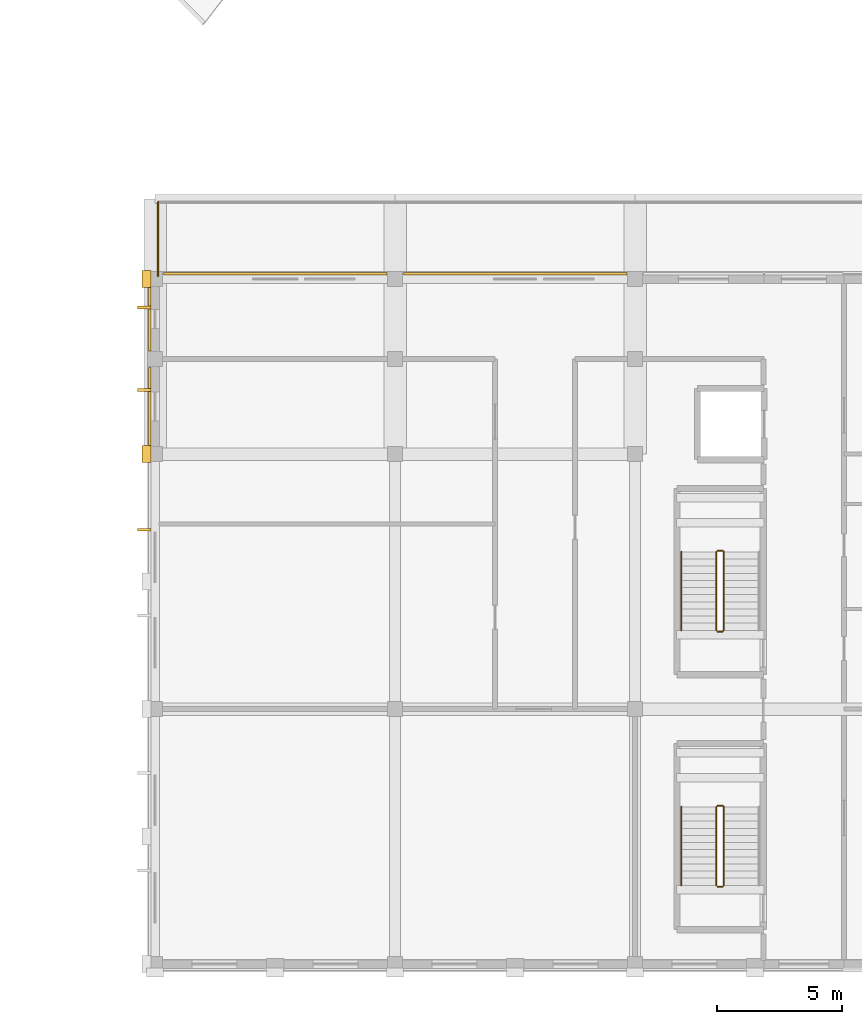
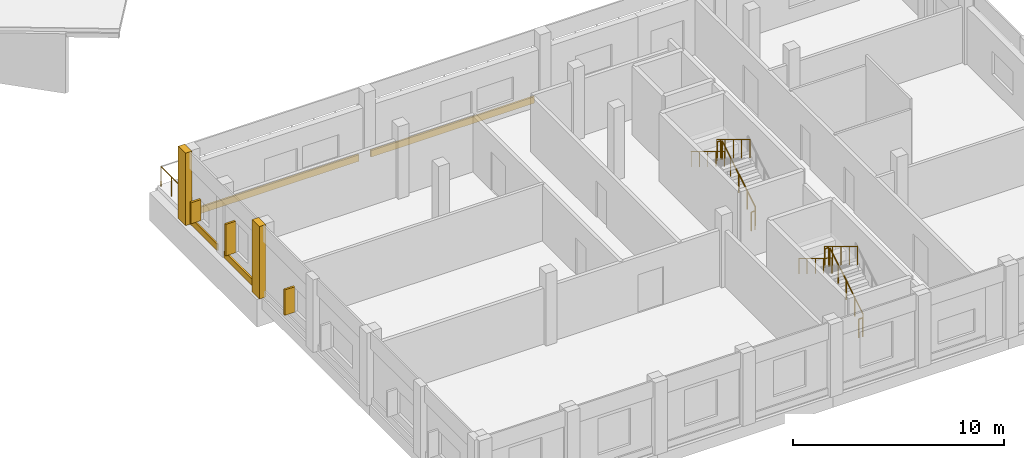
# One storey, part 198 of 200: 11 railings, 6 coverings, 3 shading devices.
"""IFC4 building model written with IfcOpenShell, lengths in metres."""

from ifc_helpers import new_model, si_unit, direction, frame, origin, origin_2d, place, context, subcontext, project, spatial, rectangle, circle, extrude, material, layer, layer_set, type_object, element, save


model = new_model("IFC4")

# Units and contexts
model_context = context("Model", 3, precision=1e-05, world=origin(), true_north=direction((0.0, 1.0)))
body_context = subcontext(model_context, "Body", "Model", "MODEL_VIEW")
ifc_project = project(units=[si_unit("LENGTHUNIT", "METRE"), si_unit("AREAUNIT", "SQUARE_METRE"), si_unit("VOLUMEUNIT", "CUBIC_METRE"), si_unit("PLANEANGLEUNIT", "RADIAN"), si_unit("MASSUNIT", "GRAM", prefix="KILO")], contexts=[model_context])

# Site, building, storey
site_placement = place(None, origin())
site = spatial("IfcSite", under=ifc_project, at=site_placement, CompositionType="ELEMENT")
building_placement = place(site_placement, origin())
building = spatial("IfcBuilding", under=site, at=building_placement, Name="Vondelvale Polytechnic", CompositionType="ELEMENT")
storey_placement = place(building_placement, frame((0.0, 0.0, 13.800048828125)))
storey = spatial("IfcBuildingStorey", under=building, at=storey_placement, Name="L03", CompositionType="ELEMENT", Elevation=13.800048828125)

# Coverings
ifc_material_1 = material(Name="Amsterdam School iron-spot clinker clay brickwork", Category="masonry")
ifc_layer_1 = layer(ifc_material_1, 0.090087890625)
ifc_layer_set_1 = layer_set([ifc_layer_1], Name="COV-BRICK-RELIEF")
covering_type = type_object("IfcCoveringType", Name="COV-BRICK-RELIEF", PredefinedType="CLADDING", material=ifc_layer_set_1)
covering_1_placement = place(storey_placement, frame((134.18896484375, 22.300048828125, 0.0), z_axis=(0.0, 0.0, 1.0), x_axis=(0.0, 1.0, 0.0)))
element("IfcCovering", 1, at=covering_1_placement, inside=storey, type_object=covering_type, Name="L03 exterior corbelled masonry relief band", PredefinedType="CLADDING", context=body_context, shape_type="SweptSolid", body=[
    extrude(rectangle(XDim=3.137939453125, YDim=0.090087890625, at=origin_2d()), origin(), (0.0, 0.0, 1.0), 0.3798828125),
])
covering_2_placement = place(storey_placement, frame((134.18896484375, 25.800048828125, 0.0), z_axis=(0.0, 0.0, 1.0), x_axis=(0.0, 1.0, 0.0)))
element("IfcCovering", 2, at=covering_2_placement, inside=storey, type_object=covering_type, Name="L03 exterior corbelled masonry relief band", PredefinedType="CLADDING", context=body_context, shape_type="SweptSolid", body=[
    extrude(rectangle(XDim=2.5380859375, YDim=0.090087890625, at=origin_2d()), origin(), (0.0, 0.0, 1.0), 0.3798828125),
])
for number, where, z_axis, x_axis, name in (
    (3, (139.199951171875, 27.611083984375, 0.0), (0.0, 0.0, 1.0), (1.0, 0.0, 0.0), "L03 exterior corbelled masonry relief band"),
    (4, (148.800048828125, 27.611083984375, 0.0), (0.0, 0.0, 1.0), (1.0, 0.0, 0.0), "L03 exterior corbelled masonry relief band"),
):
    element("IfcCovering", number, at=place(storey_placement, frame(where, z_axis=z_axis, x_axis=x_axis)), inside=storey, type_object=covering_type, Name=name, PredefinedType="CLADDING", context=body_context, shape_type="SweptSolid", body=[
        extrude(rectangle(XDim=8.93798828125, YDim=0.090087890625, at=origin_2d()), origin(), (0.0, 0.0, 1.0), 0.3798828125),
    ])
for number, where, z_axis, x_axis, name in (
    (5, (134.06005859375, 20.39990234375, 0.0), (0.0, 0.0, 1.0), (1.0, 0.0, 0.0), "L03 Lecture wing giant-order pilaster W"),
    (6, (134.06005859375, 27.39990234375, 0.0), (0.0, 0.0, 1.0), (1.0, 0.0, 0.0), "L03 Lecture wing giant-order pilaster W"),
):
    element("IfcCovering", number, at=place(storey_placement, frame(where, z_axis=z_axis, x_axis=x_axis)), inside=storey, type_object=covering_type, Name=name, PredefinedType="CLADDING", context=body_context, shape_type="SweptSolid", body=[
        extrude(rectangle(XDim=0.360107421875, YDim=0.679931640625, at=origin_2d()), origin(), (0.0, 0.0, 1.0), 4.199951171875),
    ])

# Railings
ifc_material_2 = material(Name="Brushed architectural stainless and zinc-coated metal")
ifc_layer_2 = layer(ifc_material_2, 0.050048828125)
ifc_layer_set_2 = layer_set([ifc_layer_2], Name="RL-STAIR-GUARD")
railing_type_1 = type_object("IfcRailingType", Name="RL-STAIR-GUARD", PredefinedType="GUARDRAIL", material=ifc_layer_set_2)
railing_1_placement = place(storey_placement, frame((157.14990234375, 3.14990234375, 0.175048828125)))
element("IfcRailing", 7, at=railing_1_placement, inside=storey, type_object=railing_type_1, Name="L03 ST-06 stair guard 1", PredefinedType="GUARDRAIL", context=body_context, shape_type="SweptSolid", body=[
    extrude(circle(Radius=0.02392578125, at=origin_2d()), frame((0.0, 0.0, 1.076171875), z_axis=(0.0, 0.852195625947, 0.523223293744), x_axis=(-1.0, 0.0, 0.0)), (0.0, 0.0, 1.0), 3.6787109375),
    extrude(circle(Radius=0.02099609375, at=origin_2d()), origin(), (0.0, 0.0, 1.0), 1.052001953125),
    extrude(circle(Radius=0.02099609375, at=origin_2d()), frame((0.0, 0.78369140625, 0.481201171875)), (0.0, 0.0, 1.0), 1.052001953125),
    extrude(circle(Radius=0.02099609375, at=origin_2d()), frame((0.0, 1.5673828125, 0.96240234375)), (0.0, 0.0, 1.0), 1.052001953125),
    extrude(circle(Radius=0.02099609375, at=origin_2d()), frame((0.0, 2.351318359375, 1.443603515625)), (0.0, 0.0, 1.0), 1.052001953125),
    extrude(circle(Radius=0.02099609375, at=origin_2d()), frame((0.0, 3.135009765625, 1.9248046875)), (0.0, 0.0, 1.0), 1.052001953125),
])
railing_2_placement = place(storey_placement, frame((157.10009765625, 6.3349609375, 2.099853515625)))
element("IfcRailing", 8, at=railing_2_placement, inside=storey, type_object=railing_type_1, Name="L03 ST-06 stair guard 2", PredefinedType="GUARDRAIL", context=body_context, shape_type="SweptSolid", body=[
    extrude(circle(Radius=0.02392578125, at=origin_2d()), frame((0.0, 0.0, 1.076171875), z_axis=(-1.0, 0.0, 0.0), x_axis=(0.0, -1.0, 0.0)), (0.0, 0.0, 1.0), 0.2001953125),
    extrude(circle(Radius=0.02099609375, at=origin_2d()), origin(), (0.0, 0.0, 1.0), 1.052001953125),
    extrude(circle(Radius=0.02099609375, at=origin_2d()), frame((-0.2001953125, 0.0, 0.0)), (0.0, 0.0, 1.0), 1.052001953125),
])
railing_3_placement = place(storey_placement, frame((156.85009765625, 6.284912109375, 2.27490234375)))
element("IfcRailing", 9, at=railing_3_placement, inside=storey, type_object=railing_type_1, Name="L03 ST-06 stair guard 3", PredefinedType="GUARDRAIL", context=body_context, shape_type="SweptSolid", body=[
    extrude(circle(Radius=0.02392578125, at=origin_2d()), frame((0.0, 0.0, 1.076171875), z_axis=(0.0, -0.852166034122, 0.523271488128), x_axis=(1.0, 0.0, 0.0)), (0.0, 0.0, 1.0), 3.678955078125),
    extrude(circle(Radius=0.02099609375, at=origin_2d()), origin(), (0.0, 0.0, 1.0), 1.052001953125),
    extrude(circle(Radius=0.02099609375, at=origin_2d()), frame((0.0, -0.78369140625, 0.481201171875)), (0.0, 0.0, 1.0), 1.052001953125),
    extrude(circle(Radius=0.02099609375, at=origin_2d()), frame((0.0, -1.5673828125, 0.96240234375)), (0.0, 0.0, 1.0), 1.052001953125),
    extrude(circle(Radius=0.02099609375, at=origin_2d()), frame((0.0, -2.351318359375, 1.44384765625)), (0.0, 0.0, 1.0), 1.052001953125),
    extrude(circle(Radius=0.02099609375, at=origin_2d()), frame((0.0, -3.135009765625, 1.925048828125)), (0.0, 0.0, 1.0), 1.052001953125),
])
railing_4_placement = place(storey_placement, frame((157.10009765625, 3.10009765625, 0.0)))
element("IfcRailing", 10, at=railing_4_placement, inside=storey, type_object=railing_type_1, Name="L03 ST-06 stair guard 4", PredefinedType="GUARDRAIL", context=body_context, shape_type="SweptSolid", body=[
    extrude(circle(Radius=0.02392578125, at=origin_2d()), frame((0.0, 0.0, 1.076171875), z_axis=(-1.0, 0.0, 0.0), x_axis=(0.0, -1.0, 0.0)), (0.0, 0.0, 1.0), 0.2001953125),
    extrude(circle(Radius=0.02099609375, at=origin_2d()), origin(), (0.0, 0.0, 1.0), 1.052001953125),
    extrude(circle(Radius=0.02099609375, at=origin_2d()), frame((-0.2001953125, 0.0, 0.0)), (0.0, 0.0, 1.0), 1.052001953125),
])
railing_5_placement = place(storey_placement, frame((157.14990234375, 13.35009765625, 0.175048828125)))
element("IfcRailing", 11, at=railing_5_placement, inside=storey, type_object=railing_type_1, Name="L03 ST-07 stair guard 1", PredefinedType="GUARDRAIL", context=body_context, shape_type="SweptSolid", body=[
    extrude(circle(Radius=0.02392578125, at=origin_2d()), frame((0.0, 0.0, 1.076171875), z_axis=(0.0, 0.852195625947, 0.523223293744), x_axis=(-1.0, 0.0, 0.0)), (0.0, 0.0, 1.0), 3.6787109375),
    extrude(circle(Radius=0.02099609375, at=origin_2d()), origin(), (0.0, 0.0, 1.0), 1.052001953125),
    extrude(circle(Radius=0.02099609375, at=origin_2d()), frame((0.0, 0.78369140625, 0.481201171875)), (0.0, 0.0, 1.0), 1.052001953125),
    extrude(circle(Radius=0.02099609375, at=origin_2d()), frame((0.0, 1.5673828125, 0.96240234375)), (0.0, 0.0, 1.0), 1.052001953125),
    extrude(circle(Radius=0.02099609375, at=origin_2d()), frame((0.0, 2.351318359375, 1.443603515625)), (0.0, 0.0, 1.0), 1.052001953125),
    extrude(circle(Radius=0.02099609375, at=origin_2d()), frame((0.0, 3.135009765625, 1.9248046875)), (0.0, 0.0, 1.0), 1.052001953125),
])
railing_6_placement = place(storey_placement, frame((157.10009765625, 16.534912109375, 2.099853515625)))
element("IfcRailing", 12, at=railing_6_placement, inside=storey, type_object=railing_type_1, Name="L03 ST-07 stair guard 2", PredefinedType="GUARDRAIL", context=body_context, shape_type="SweptSolid", body=[
    extrude(circle(Radius=0.02392578125, at=origin_2d()), frame((0.0, 0.0, 1.076171875), z_axis=(-1.0, 0.0, 0.0), x_axis=(0.0, -1.0, 0.0)), (0.0, 0.0, 1.0), 0.2001953125),
    extrude(circle(Radius=0.02099609375, at=origin_2d()), origin(), (0.0, 0.0, 1.0), 1.052001953125),
    extrude(circle(Radius=0.02099609375, at=origin_2d()), frame((-0.2001953125, 0.0, 0.0)), (0.0, 0.0, 1.0), 1.052001953125),
])
railing_7_placement = place(storey_placement, frame((156.85009765625, 16.485107421875, 2.27490234375)))
element("IfcRailing", 13, at=railing_7_placement, inside=storey, type_object=railing_type_1, Name="L03 ST-07 stair guard 3", PredefinedType="GUARDRAIL", context=body_context, shape_type="SweptSolid", body=[
    extrude(circle(Radius=0.02392578125, at=origin_2d()), frame((0.0, 0.0, 1.076171875), z_axis=(0.0, -0.852166034122, 0.523271488128), x_axis=(1.0, 0.0, 0.0)), (0.0, 0.0, 1.0), 3.678955078125),
    extrude(circle(Radius=0.02099609375, at=origin_2d()), origin(), (0.0, 0.0, 1.0), 1.052001953125),
    extrude(circle(Radius=0.02099609375, at=origin_2d()), frame((0.0, -0.78369140625, 0.481201171875)), (0.0, 0.0, 1.0), 1.052001953125),
    extrude(circle(Radius=0.02099609375, at=origin_2d()), frame((0.0, -1.5673828125, 0.96240234375)), (0.0, 0.0, 1.0), 1.052001953125),
    extrude(circle(Radius=0.02099609375, at=origin_2d()), frame((0.0, -2.351318359375, 1.44384765625)), (0.0, 0.0, 1.0), 1.052001953125),
    extrude(circle(Radius=0.02099609375, at=origin_2d()), frame((0.0, -3.135009765625, 1.925048828125)), (0.0, 0.0, 1.0), 1.052001953125),
])
railing_8_placement = place(storey_placement, frame((157.10009765625, 13.300048828125, 0.0)))
element("IfcRailing", 14, at=railing_8_placement, inside=storey, type_object=railing_type_1, Name="L03 ST-07 stair guard 4", PredefinedType="GUARDRAIL", context=body_context, shape_type="SweptSolid", body=[
    extrude(circle(Radius=0.02392578125, at=origin_2d()), frame((0.0, 0.0, 1.076171875), z_axis=(-1.0, 0.0, 0.0), x_axis=(0.0, -1.0, 0.0)), (0.0, 0.0, 1.0), 0.2001953125),
    extrude(circle(Radius=0.02099609375, at=origin_2d()), origin(), (0.0, 0.0, 1.0), 1.052001953125),
    extrude(circle(Radius=0.02099609375, at=origin_2d()), frame((-0.2001953125, 0.0, 0.0)), (0.0, 0.0, 1.0), 1.052001953125),
])
ifc_layer_3 = layer(ifc_material_2, 0.048095703125)
ifc_layer_set_3 = layer_set([ifc_layer_3], Name="RL-STAIR-HANDRAIL")
railing_type_2 = type_object("IfcRailingType", Name="RL-STAIR-HANDRAIL", PredefinedType="HANDRAIL", material=ifc_layer_set_3)
for number, where, name in (
    (15, (155.449951171875, 6.284912109375, 2.27490234375), "L03 ST-06 stair handrail 2"),
    (16, (155.449951171875, 16.485107421875, 2.27490234375), "L03 ST-07 stair handrail 2"),
):
    element("IfcRailing", number, at=place(storey_placement, frame(where)), inside=storey, type_object=railing_type_2, Name=name, PredefinedType="HANDRAIL", context=body_context, shape_type="SweptSolid", body=[
        extrude(circle(Radius=0.02392578125, at=origin_2d()), frame((0.0, 0.0, 0.8759765625), z_axis=(0.0, -0.852166034122, 0.523271488128), x_axis=(1.0, 0.0, 0.0)), (0.0, 0.0, 1.0), 3.678955078125),
        extrude(circle(Radius=0.02099609375, at=origin_2d()), origin(), (0.0, 0.0, 1.0), 0.851806640625),
        extrude(circle(Radius=0.02099609375, at=origin_2d()), frame((0.0, -0.78369140625, 0.481201171875)), (0.0, 0.0, 1.0), 0.851806640625),
        extrude(circle(Radius=0.02099609375, at=origin_2d()), frame((0.0, -1.5673828125, 0.96240234375)), (0.0, 0.0, 1.0), 0.851806640625),
        extrude(circle(Radius=0.02099609375, at=origin_2d()), frame((0.0, -2.351318359375, 1.44384765625)), (0.0, 0.0, 1.0), 0.851806640625),
        extrude(circle(Radius=0.02099609375, at=origin_2d()), frame((0.0, -3.135009765625, 1.925048828125)), (0.0, 0.0, 1.0), 0.851806640625),
    ])
ifc_layer_4 = layer(ifc_material_2, 0.070068359375)
ifc_layer_set_4 = layer_set([ifc_layer_4], Name="RL-TERRACE-1150")
railing_type_3 = type_object("IfcRailingType", Name="RL-TERRACE-1150", PredefinedType="BALUSTRADE", material=ifc_layer_set_4)
railing_9_placement = place(storey_placement, frame((134.52001953125, 27.52001953125, 0.0)))
element("IfcRailing", 17, at=railing_9_placement, inside=storey, type_object=railing_type_3, Name="L03 lecture wing roof garden guardrail", PredefinedType="BALUSTRADE", context=body_context, shape_type="SweptSolid", body=[
    extrude(circle(Radius=0.02392578125, at=origin_2d()), frame((0.0, 0.0, 1.1259765625), z_axis=(0.0, 1.0, 0.0), x_axis=(-1.0, 0.0, 0.0)), (0.0, 0.0, 1.0), 2.9599609375),
    extrude(circle(Radius=0.02099609375, at=origin_2d()), origin(), (0.0, 0.0, 1.0), 1.101806640625),
    extrude(circle(Radius=0.02099609375, at=origin_2d()), frame((0.0, 0.986572265625, 0.0)), (0.0, 0.0, 1.0), 1.101806640625),
    extrude(circle(Radius=0.02099609375, at=origin_2d()), frame((0.0, 1.973388671875, 0.0)), (0.0, 0.0, 1.0), 1.101806640625),
    extrude(circle(Radius=0.02099609375, at=origin_2d()), frame((0.0, 2.9599609375, 0.0)), (0.0, 0.0, 1.0), 1.101806640625),
])

# Shading devices
ifc_material_3 = material(Name="Kiln-fired architectural terracotta", Category="masonry")
shading_device_type = type_object("IfcShadingDeviceType", Name="SHD-TERRA-FIN-550", PredefinedType="JALOUSIE", material=ifc_material_3)
shading_device_1_placement = place(storey_placement, frame((133.969970703125, 17.3701171875, 0.7900390625), z_axis=(0.0, 0.0, 1.0), x_axis=(0.0, 1.0, 0.0)))
element("IfcShadingDevice", 18, at=shading_device_1_placement, inside=storey, type_object=shading_device_type, Name="L03 vertical terracotta solar fin", PredefinedType="JALOUSIE", context=body_context, shape_type="SweptSolid", body=[
    extrude(rectangle(XDim=0.110107421875, YDim=0.550048828125, at=origin_2d()), origin(), (0.0, 0.0, 1.0), 1.469970703125),
])
shading_device_2_placement = place(storey_placement, frame((133.969970703125, 22.965087890625, 0.83984375), z_axis=(0.0, 0.0, 1.0), x_axis=(0.0, 1.0, 0.0)))
element("IfcShadingDevice", 19, at=shading_device_2_placement, inside=storey, type_object=shading_device_type, Name="L03 vertical terracotta solar fin", PredefinedType="JALOUSIE", context=body_context, shape_type="SweptSolid", body=[
    extrude(rectangle(XDim=0.110107421875, YDim=0.550048828125, at=origin_2d()), origin(), (0.0, 0.0, 1.0), 1.820068359375),
])
shading_device_3_placement = place(storey_placement, frame((133.969970703125, 26.264892578125, 0.68994140625), z_axis=(0.0, 0.0, 1.0), x_axis=(0.0, 1.0, 0.0)))
element("IfcShadingDevice", 20, at=shading_device_3_placement, inside=storey, type_object=shading_device_type, Name="L03 vertical terracotta solar fin", PredefinedType="JALOUSIE", context=body_context, shape_type="SweptSolid", body=[
    extrude(rectangle(XDim=0.110107421875, YDim=0.550048828125, at=origin_2d()), origin(), (0.0, 0.0, 1.0), 1.219970703125),
])

save(model, "model.ifc")
